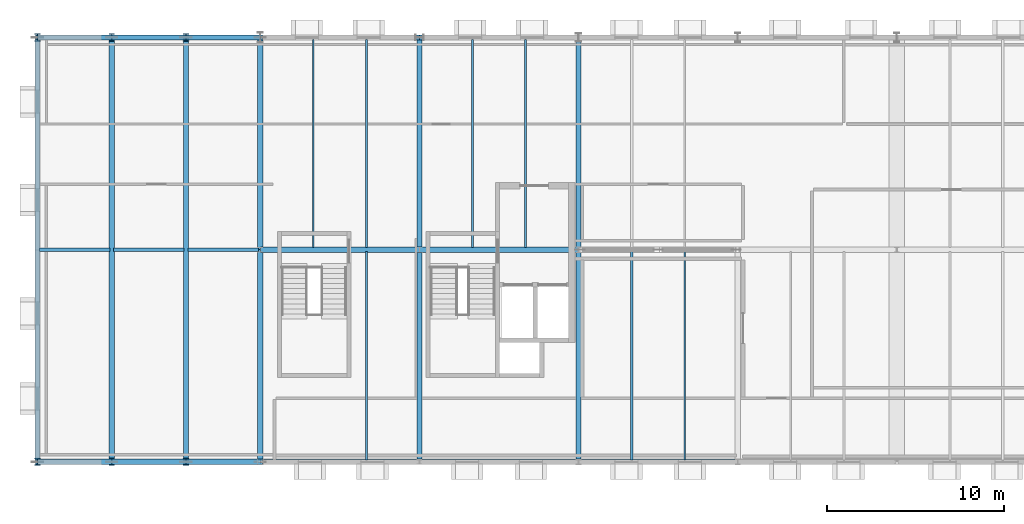
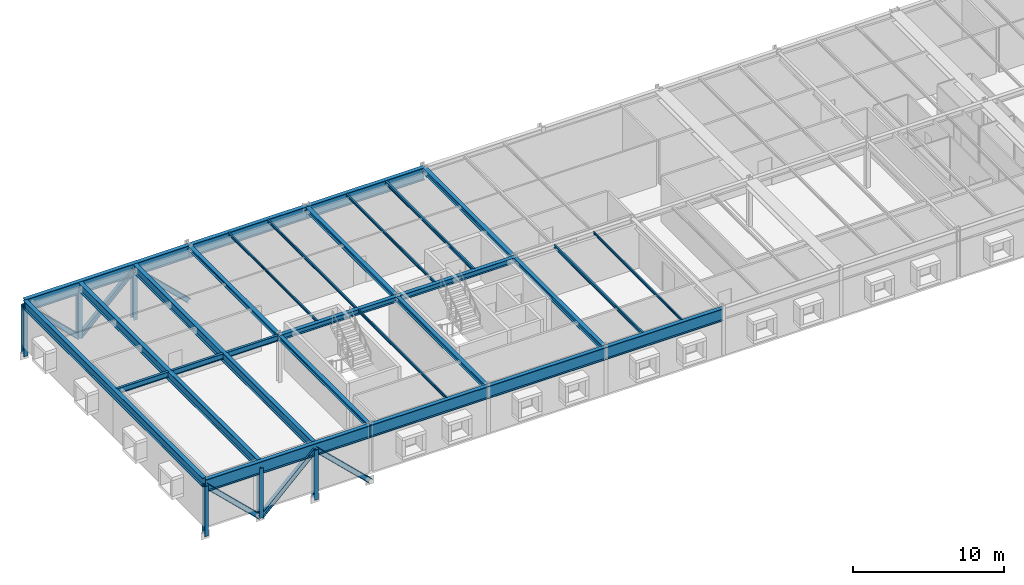
# One storey, part 4 of 17: 28 beams, 12 members.
"""IFC4 building model written with IfcOpenShell, lengths in metres."""

from ifc_helpers import new_model, si_unit, direction, frame, origin, origin_2d, place, context, subcontext, project, spatial, i_section, extrude, material, material_profile, profile_set, type_object, element, save


model = new_model("IFC4")

# Units and contexts
model_context = context("Model", 3, precision=1e-05, world=origin(), true_north=direction((0.0, 1.0)))
body_context = subcontext(model_context, "Body", "Model", "MODEL_VIEW")
ifc_project = project(units=[si_unit("LENGTHUNIT", "METRE"), si_unit("AREAUNIT", "SQUARE_METRE"), si_unit("VOLUMEUNIT", "CUBIC_METRE"), si_unit("PLANEANGLEUNIT", "RADIAN"), si_unit("MASSUNIT", "GRAM", prefix="KILO")], contexts=[model_context])

# Site, building, storey
site_placement = place(None, origin())
site = spatial("IfcSite", under=ifc_project, at=site_placement, CompositionType="ELEMENT")
building_placement = place(site_placement, origin())
building = spatial("IfcBuilding", under=site, at=building_placement, Name="Montelvaro Courts of Justice", CompositionType="ELEMENT")
storey_placement = place(building_placement, frame((0.0, 0.0, 27.39990234375)))
storey = spatial("IfcBuildingStorey", under=building, at=storey_placement, Name="L06", CompositionType="ELEMENT", Elevation=27.39990234375)

# Beams
ifc_material = material(Name="Steel S355", Category="steel")
ifc_material_profile_1 = material_profile(ifc_material, i_section(OverallWidth=0.300048828125, OverallDepth=0.35009765625, WebThickness=0.010009765625, FlangeThickness=0.017578125, at=origin_2d()), Name="HEA 360")
ifc_profile_set_1 = profile_set([ifc_material_profile_1], Name="Steel S355")
beam_type_1 = type_object("IfcBeamType", Name="Beam_HEA360", PredefinedType="USERDEFINED", material=ifc_profile_set_1)
for number, where, z_axis, x_axis, name in (
    (1, (45.0, 0.0, 3.625), (0.0, 1.0, 0.0), (-1.0, 0.0, 0.0), "Beam B-16 L06"),
    (2, (45.0, 12.0, 3.625), (0.0, 1.0, 0.0), (-1.0, 0.0, 0.0), "Beam B-16 L06"),
):
    element("IfcBeam", number, at=place(storey_placement, frame(where, z_axis=z_axis, x_axis=x_axis)), inside=storey, type_object=beam_type_1, Name=name, ObjectType="GIRDER", PredefinedType="USERDEFINED", context=body_context, shape_type="SweptSolid", body=[
        extrude(i_section(OverallWidth=0.300048828125, OverallDepth=0.35009765625, WebThickness=0.010009765625, FlangeThickness=0.017578125, at=origin_2d()), origin(), (0.0, 0.0, 1.0), 12.0),
    ])
ifc_material_profile_2 = material_profile(ifc_material, i_section(OverallWidth=0.300048828125, OverallDepth=0.389892578125, WebThickness=0.010986328125, FlangeThickness=0.01904296875, at=origin_2d()), Name="HEA 400")
ifc_profile_set_2 = profile_set([ifc_material_profile_2], Name="Steel S355")
beam_type_2 = type_object("IfcBeamType", Name="Beam_HEA400", PredefinedType="USERDEFINED", material=ifc_profile_set_2)
for number, where, z_axis, x_axis, name in (
    (3, (54.0, 0.0, 3.60498046875), (0.0, 1.0, 0.0), (-1.0, 0.0, 0.0), "Beam B-17 L06"),
    (4, (54.0, 12.0, 3.60498046875), (0.0, 1.0, 0.0), (-1.0, 0.0, 0.0), "Beam B-17 L06"),
):
    element("IfcBeam", number, at=place(storey_placement, frame(where, z_axis=z_axis, x_axis=x_axis)), inside=storey, type_object=beam_type_2, Name=name, ObjectType="GIRDER", PredefinedType="USERDEFINED", context=body_context, shape_type="SweptSolid", body=[
        extrude(i_section(OverallWidth=0.300048828125, OverallDepth=0.389892578125, WebThickness=0.010986328125, FlangeThickness=0.01904296875, at=origin_2d()), origin(), (0.0, 0.0, 1.0), 12.0),
    ])
ifc_material_profile_3 = material_profile(ifc_material, i_section(OverallWidth=0.300048828125, OverallDepth=0.43994140625, WebThickness=0.011474609375, FlangeThickness=0.02099609375, at=origin_2d()), Name="HEA 450")
ifc_profile_set_3 = profile_set([ifc_material_profile_3], Name="Steel S355")
beam_type_3 = type_object("IfcBeamType", Name="Beam_HEA450", PredefinedType="USERDEFINED", material=ifc_profile_set_3)
for number, where, z_axis, x_axis, name in (
    (5, (45.0, 12.0, 3.580078125), (1.0, 0.0, 0.0), (0.0, 1.0, 0.0), "Beam B-18 L06"),
    (6, (54.0, 12.0, 3.580078125), (1.0, 0.0, 0.0), (0.0, 1.0, 0.0), "Beam B-18 L06"),
):
    element("IfcBeam", number, at=place(storey_placement, frame(where, z_axis=z_axis, x_axis=x_axis)), inside=storey, type_object=beam_type_3, Name=name, ObjectType="GIRDER", PredefinedType="USERDEFINED", context=body_context, shape_type="SweptSolid", body=[
        extrude(i_section(OverallWidth=0.300048828125, OverallDepth=0.43994140625, WebThickness=0.011474609375, FlangeThickness=0.02099609375, at=origin_2d()), origin(), (0.0, 0.0, 1.0), 9.0),
    ])
for number, where, z_axis, x_axis, name in (
    (7, (63.0, 0.0, 3.580078125), (0.0, 1.0, 0.0), (-1.0, 0.0, 0.0), "Beam B-18 L06"),
    (8, (63.0, 12.0, 3.580078125), (0.0, 1.0, 0.0), (-1.0, 0.0, 0.0), "Beam B-18 L06"),
):
    element("IfcBeam", number, at=place(storey_placement, frame(where, z_axis=z_axis, x_axis=x_axis)), inside=storey, type_object=beam_type_3, Name=name, ObjectType="GIRDER", PredefinedType="USERDEFINED", context=body_context, shape_type="SweptSolid", body=[
        extrude(i_section(OverallWidth=0.300048828125, OverallDepth=0.43994140625, WebThickness=0.011474609375, FlangeThickness=0.02099609375, at=origin_2d()), origin(), (0.0, 0.0, 1.0), 12.0),
    ])
ifc_material_profile_4 = material_profile(ifc_material, i_section(OverallWidth=0.300048828125, OverallDepth=0.699951171875, WebThickness=0.01708984375, FlangeThickness=0.031982421875, at=origin_2d()), Name="HEB 700")
ifc_profile_set_4 = profile_set([ifc_material_profile_4], Name="Steel S355")
beam_type_4 = type_object("IfcBeamType", Name="Beam_HEB700", PredefinedType="USERDEFINED", material=ifc_profile_set_4)
for number, where, z_axis, x_axis, name in (
    (9, (40.800048828125, 0.110107421875, 3.4501953125), (0.0, 1.0, 0.0), (-1.0, 0.0, 0.0), "Beam B-28 L06"),
    (10, (36.60009765625, 0.110107421875, 3.4501953125), (0.0, 1.0, 0.0), (-1.0, 0.0, 0.0), "Beam B-28 L06"),
    (11, (32.39990234375, 0.110107421875, 3.4501953125), (0.0, 1.0, 0.0), (-1.0, 0.0, 0.0), "Beam B-28 L06"),
):
    element("IfcBeam", number, at=place(storey_placement, frame(where, z_axis=z_axis, x_axis=x_axis)), inside=storey, type_object=beam_type_4, Name=name, ObjectType="GIRDER", PredefinedType="USERDEFINED", context=body_context, shape_type="SweptSolid", body=[
        extrude(i_section(OverallWidth=0.300048828125, OverallDepth=0.699951171875, WebThickness=0.01708984375, FlangeThickness=0.031982421875, at=origin_2d()), origin(), (0.0, 0.0, 1.0), 23.77978515625),
    ])
ifc_material_profile_5 = material_profile(ifc_material, i_section(OverallWidth=0.302001953125, OverallDepth=1.008056640625, WebThickness=0.02099609375, FlangeThickness=0.0400390625, at=origin_2d()), Name="HEM 1000")
ifc_profile_set_5 = profile_set([ifc_material_profile_5], Name="Steel S355")
beam_type_5 = type_object("IfcBeamType", Name="Beam_HEM1000", PredefinedType="USERDEFINED", material=ifc_profile_set_5)
for number, where, z_axis, x_axis, name in (
    (12, (72.0, 0.0, 3.296142578125), (-1.0, 0.0, 0.0), (0.0, -1.0, 0.0), "Pratt Cantilever Truss Chord CTR-BAR3-S-L07-BS1"),
    (13, (63.0, 0.0, 3.296142578125), (-1.0, 0.0, 0.0), (0.0, -1.0, 0.0), "Pratt Cantilever Truss Chord CTR-BAR3-S-L07-BS2"),
    (14, (54.0, 0.0, 3.296142578125), (-1.0, 0.0, 0.0), (0.0, -1.0, 0.0), "Pratt Cantilever Truss Chord CTR-BAR3-S-L07-BS3"),
):
    element("IfcBeam", number, at=place(storey_placement, frame(where, z_axis=z_axis, x_axis=x_axis)), inside=storey, type_object=beam_type_5, Name=name, ObjectType="GIRDER", PredefinedType="USERDEFINED", context=body_context, shape_type="SweptSolid", body=[
        extrude(i_section(OverallWidth=0.302001953125, OverallDepth=1.008056640625, WebThickness=0.02099609375, FlangeThickness=0.0400390625, at=origin_2d()), origin(), (0.0, 0.0, 1.0), 9.0),
    ])
beam_1_placement = place(storey_placement, frame((45.0, 0.0, 3.296142578125), z_axis=(-1.0, 0.0, 0.0), x_axis=(0.0, -1.0, 0.0)))
element("IfcBeam", 15, at=beam_1_placement, inside=storey, type_object=beam_type_5, Name="Pratt Cantilever Truss Chord CTR-BAR3-S-L07-OVH", ObjectType="GIRDER", PredefinedType="USERDEFINED", context=body_context, shape_type="SweptSolid", body=[
    extrude(i_section(OverallWidth=0.302001953125, OverallDepth=1.008056640625, WebThickness=0.02099609375, FlangeThickness=0.0400390625, at=origin_2d()), origin(), (0.0, 0.0, 1.0), 12.60009765625),
])
for number, where, z_axis, x_axis, name in (
    (16, (63.0, 24.0, 3.296142578125), (-1.0, 0.0, 0.0), (0.0, -1.0, 0.0), "Pratt Cantilever Truss Chord CTR-BAR3-N-L07-BS2"),
    (17, (54.0, 24.0, 3.296142578125), (-1.0, 0.0, 0.0), (0.0, -1.0, 0.0), "Pratt Cantilever Truss Chord CTR-BAR3-N-L07-BS3"),
):
    element("IfcBeam", number, at=place(storey_placement, frame(where, z_axis=z_axis, x_axis=x_axis)), inside=storey, type_object=beam_type_5, Name=name, ObjectType="GIRDER", PredefinedType="USERDEFINED", context=body_context, shape_type="SweptSolid", body=[
        extrude(i_section(OverallWidth=0.302001953125, OverallDepth=1.008056640625, WebThickness=0.02099609375, FlangeThickness=0.0400390625, at=origin_2d()), origin(), (0.0, 0.0, 1.0), 9.0),
    ])
beam_2_placement = place(storey_placement, frame((45.0, 24.0, 3.296142578125), z_axis=(-1.0, 0.0, 0.0), x_axis=(0.0, -1.0, 0.0)))
element("IfcBeam", 18, at=beam_2_placement, inside=storey, type_object=beam_type_5, Name="Pratt Cantilever Truss Chord CTR-BAR3-N-L07-OVH", ObjectType="GIRDER", PredefinedType="USERDEFINED", context=body_context, shape_type="SweptSolid", body=[
    extrude(i_section(OverallWidth=0.302001953125, OverallDepth=1.008056640625, WebThickness=0.02099609375, FlangeThickness=0.0400390625, at=origin_2d()), origin(), (0.0, 0.0, 1.0), 12.60009765625),
])
ifc_material_profile_6 = material_profile(ifc_material, i_section(OverallWidth=0.10009765625, OverallDepth=0.199951171875, WebThickness=0.005615234375, FlangeThickness=0.008544921875, at=origin_2d()), Name="IPE 200")
ifc_profile_set_6 = profile_set([ifc_material_profile_6], Name="Steel S355")
beam_type_6 = type_object("IfcBeamType", Name="Beam_IPE200", PredefinedType="JOIST", material=ifc_profile_set_6)
for number, where, z_axis, x_axis, name in (
    (19, (48.0, 12.110107421875, 3.7001953125), (0.0, 1.0, 0.0), (-1.0, 0.0, 0.0), "Beam B-01 L06"),
    (20, (69.0, 0.110107421875, 3.7001953125), (0.0, 1.0, 0.0), (-1.0, 0.0, 0.0), "Beam B-01 L06"),
):
    element("IfcBeam", number, at=place(storey_placement, frame(where, z_axis=z_axis, x_axis=x_axis)), inside=storey, type_object=beam_type_6, Name=name, PredefinedType="JOIST", context=body_context, shape_type="SweptSolid", body=[
        extrude(i_section(OverallWidth=0.10009765625, OverallDepth=0.199951171875, WebThickness=0.005615234375, FlangeThickness=0.008544921875, at=origin_2d()), origin(), (0.0, 0.0, 1.0), 11.77978515625),
    ])
ifc_material_profile_7 = material_profile(ifc_material, i_section(OverallWidth=0.110107421875, OverallDepth=0.219970703125, WebThickness=0.005859375, FlangeThickness=0.00927734375, at=origin_2d()), Name="IPE 220")
ifc_profile_set_7 = profile_set([ifc_material_profile_7], Name="Steel S355")
beam_type_7 = type_object("IfcBeamType", Name="Beam_IPE220", PredefinedType="JOIST", material=ifc_profile_set_7)
for number, where, z_axis, x_axis, name in (
    (21, (51.0, 0.110107421875, 3.690185546875), (0.0, 1.0, 0.0), (-1.0, 0.0, 0.0), "Beam B-02 L06"),
    (22, (51.0, 12.110107421875, 3.690185546875), (0.0, 1.0, 0.0), (-1.0, 0.0, 0.0), "Beam B-02 L06"),
    (23, (57.0, 12.110107421875, 3.690185546875), (0.0, 1.0, 0.0), (-1.0, 0.0, 0.0), "Beam B-02 L06"),
):
    element("IfcBeam", number, at=place(storey_placement, frame(where, z_axis=z_axis, x_axis=x_axis)), inside=storey, type_object=beam_type_7, Name=name, PredefinedType="JOIST", context=body_context, shape_type="SweptSolid", body=[
        extrude(i_section(OverallWidth=0.110107421875, OverallDepth=0.219970703125, WebThickness=0.005859375, FlangeThickness=0.00927734375, at=origin_2d()), origin(), (0.0, 0.0, 1.0), 11.77978515625),
    ])
ifc_material_profile_8 = material_profile(ifc_material, i_section(OverallWidth=0.135009765625, OverallDepth=0.27001953125, WebThickness=0.006591796875, FlangeThickness=0.01025390625, at=origin_2d()), Name="IPE 270")
ifc_profile_set_8 = profile_set([ifc_material_profile_8], Name="Steel S355")
beam_type_8 = type_object("IfcBeamType", Name="Beam_IPE270", PredefinedType="JOIST", material=ifc_profile_set_8)
for number, where, z_axis, x_axis, name in (
    (24, (60.0, 12.110107421875, 3.6650390625), (0.0, 1.0, 0.0), (-1.0, 0.0, 0.0), "Beam B-04 L06"),
    (25, (66.0, 0.110107421875, 3.6650390625), (0.0, 1.0, 0.0), (-1.0, 0.0, 0.0), "Beam B-04 L06"),
):
    element("IfcBeam", number, at=place(storey_placement, frame(where, z_axis=z_axis, x_axis=x_axis)), inside=storey, type_object=beam_type_8, Name=name, PredefinedType="JOIST", context=body_context, shape_type="SweptSolid", body=[
        extrude(i_section(OverallWidth=0.135009765625, OverallDepth=0.27001953125, WebThickness=0.006591796875, FlangeThickness=0.01025390625, at=origin_2d()), origin(), (0.0, 0.0, 1.0), 11.77978515625),
    ])
ifc_material_profile_9 = material_profile(ifc_material, i_section(OverallWidth=0.18994140625, OverallDepth=0.449951171875, WebThickness=0.009521484375, FlangeThickness=0.0146484375, at=origin_2d()), Name="IPE 450")
ifc_profile_set_9 = profile_set([ifc_material_profile_9], Name="Steel S355")
beam_type_9 = type_object("IfcBeamType", Name="Beam_IPE450", PredefinedType="BEAM", material=ifc_profile_set_9)
for number, where, z_axis, x_axis, name in (
    (26, (40.909912109375, 12.0, 3.5751953125), (1.0, 0.0, 0.0), (0.0, 1.0, 0.0), "Beam B-09 L06"),
    (27, (36.7099609375, 12.0, 3.5751953125), (1.0, 0.0, 0.0), (0.0, 1.0, 0.0), "Beam B-09 L06"),
    (28, (32.510009765625, 12.0, 3.5751953125), (1.0, 0.0, 0.0), (0.0, 1.0, 0.0), "Beam B-09 L06"),
):
    element("IfcBeam", number, at=place(storey_placement, frame(where, z_axis=z_axis, x_axis=x_axis)), inside=storey, type_object=beam_type_9, Name=name, PredefinedType="BEAM", context=body_context, shape_type="SweptSolid", body=[
        extrude(i_section(OverallWidth=0.18994140625, OverallDepth=0.449951171875, WebThickness=0.009521484375, FlangeThickness=0.0146484375, at=origin_2d()), origin(), (0.0, 0.0, 1.0), 3.97998046875),
    ])

# Members
ifc_material_profile_10 = material_profile(ifc_material, i_section(OverallWidth=0.300048828125, OverallDepth=0.360107421875, WebThickness=0.012451171875, FlangeThickness=0.0224609375, at=origin_2d()), Name="HEB 360")
ifc_profile_set_10 = profile_set([ifc_material_profile_10], Name="Steel S355")
member_type_1 = type_object("IfcMemberType", Name="Mem_HEB360_Brace", PredefinedType="BRACE", material=ifc_profile_set_10)
for number, where, z_axis, x_axis, name in (
    (29, (45.0, 0.0, -0.743896484375), (-0.720693781048, 0.0, 0.693253542334), (0.0, -1.0, 0.0), "Pratt Cantilever Truss Diagonal MB-01 CTR-BAR3-S-L06-D4"),
    (30, (40.800048828125, 0.0, 3.296142578125), (-0.720693781048, 0.0, -0.693253542334), (0.0, -1.0, 0.0), "Pratt Cantilever Truss Diagonal MB-01 CTR-BAR3-S-L06-D5"),
):
    element("IfcMember", number, at=place(storey_placement, frame(where, z_axis=z_axis, x_axis=x_axis)), inside=storey, type_object=member_type_1, Name=name, PredefinedType="BRACE", context=body_context, shape_type="SweptSolid", body=[
        extrude(i_section(OverallWidth=0.300048828125, OverallDepth=0.360107421875, WebThickness=0.012451171875, FlangeThickness=0.0224609375, at=origin_2d()), origin(), (0.0, 0.0, 1.0), 5.82763671875),
    ])
member_1_placement = place(storey_placement, frame((36.60009765625, 0.0, -0.743896484375), z_axis=(-0.720713914169, 0.0, 0.693232611699), x_axis=(0.0, -1.0, 0.0)))
element("IfcMember", 31, at=member_1_placement, inside=storey, type_object=member_type_1, Name="Pratt Cantilever Truss Diagonal MB-01 CTR-BAR3-S-L06-D6", PredefinedType="BRACE", context=body_context, shape_type="SweptSolid", body=[
    extrude(i_section(OverallWidth=0.300048828125, OverallDepth=0.360107421875, WebThickness=0.012451171875, FlangeThickness=0.0224609375, at=origin_2d()), origin(), (0.0, 0.0, 1.0), 5.827880859375),
])
for number, where, z_axis, x_axis, name in (
    (32, (45.0, 24.0, -0.743896484375), (-0.720693781048, 0.0, 0.693253542334), (0.0, -1.0, 0.0), "Pratt Cantilever Truss Diagonal MB-01 CTR-BAR3-N-L06-D4"),
    (33, (40.800048828125, 24.0, 3.296142578125), (-0.720693781048, 0.0, -0.693253542334), (0.0, -1.0, 0.0), "Pratt Cantilever Truss Diagonal MB-01 CTR-BAR3-N-L06-D5"),
):
    element("IfcMember", number, at=place(storey_placement, frame(where, z_axis=z_axis, x_axis=x_axis)), inside=storey, type_object=member_type_1, Name=name, PredefinedType="BRACE", context=body_context, shape_type="SweptSolid", body=[
        extrude(i_section(OverallWidth=0.300048828125, OverallDepth=0.360107421875, WebThickness=0.012451171875, FlangeThickness=0.0224609375, at=origin_2d()), origin(), (0.0, 0.0, 1.0), 5.82763671875),
    ])
member_2_placement = place(storey_placement, frame((36.60009765625, 24.0, -0.743896484375), z_axis=(-0.720713914169, 0.0, 0.693232611699), x_axis=(0.0, -1.0, 0.0)))
element("IfcMember", 34, at=member_2_placement, inside=storey, type_object=member_type_1, Name="Pratt Cantilever Truss Diagonal MB-01 CTR-BAR3-N-L06-D6", PredefinedType="BRACE", context=body_context, shape_type="SweptSolid", body=[
    extrude(i_section(OverallWidth=0.300048828125, OverallDepth=0.360107421875, WebThickness=0.012451171875, FlangeThickness=0.0224609375, at=origin_2d()), origin(), (0.0, 0.0, 1.0), 5.827880859375),
])
ifc_material_profile_11 = material_profile(ifc_material, i_section(OverallWidth=0.300048828125, OverallDepth=0.39990234375, WebThickness=0.013427734375, FlangeThickness=0.02392578125, at=origin_2d()), Name="HEB 400")
ifc_profile_set_11 = profile_set([ifc_material_profile_11], Name="Steel S355")
member_type_2 = type_object("IfcMemberType", Name="Mem_HEB400_Post", PredefinedType="POST", material=ifc_profile_set_11)
for number, where, z_axis, x_axis, name in (
    (35, (40.800048828125, 0.0, -0.743896484375), (0.0, 0.0, 1.0), (1.0, 0.0, 0.0), "Pratt Cantilever Truss Post MP-01 CTR-BAR3-S-L06-1"),
    (36, (36.60009765625, 0.0, -0.743896484375), (0.0, 0.0, 1.0), (1.0, 0.0, 0.0), "Pratt Cantilever Truss Post MP-01 CTR-BAR3-S-L06-2"),
    (37, (32.39990234375, 0.0, -0.743896484375), (0.0, 0.0, 1.0), (1.0, 0.0, 0.0), "Pratt Cantilever Truss Post MP-01 CTR-BAR3-S-L06-3"),
    (38, (40.800048828125, 24.0, -0.743896484375), (0.0, 0.0, 1.0), (1.0, 0.0, 0.0), "Pratt Cantilever Truss Post MP-01 CTR-BAR3-N-L06-1"),
    (39, (36.60009765625, 24.0, -0.743896484375), (0.0, 0.0, 1.0), (1.0, 0.0, 0.0), "Pratt Cantilever Truss Post MP-01 CTR-BAR3-N-L06-2"),
    (40, (32.39990234375, 24.0, -0.743896484375), (0.0, 0.0, 1.0), (1.0, 0.0, 0.0), "Pratt Cantilever Truss Post MP-01 CTR-BAR3-N-L06-3"),
):
    element("IfcMember", number, at=place(storey_placement, frame(where, z_axis=z_axis, x_axis=x_axis)), inside=storey, type_object=member_type_2, Name=name, PredefinedType="POST", context=body_context, shape_type="SweptSolid", body=[
        extrude(i_section(OverallWidth=0.300048828125, OverallDepth=0.39990234375, WebThickness=0.013427734375, FlangeThickness=0.02392578125, at=origin_2d()), origin(), (0.0, 0.0, 1.0), 4.0400390625),
    ])

save(model, "model.ifc")
